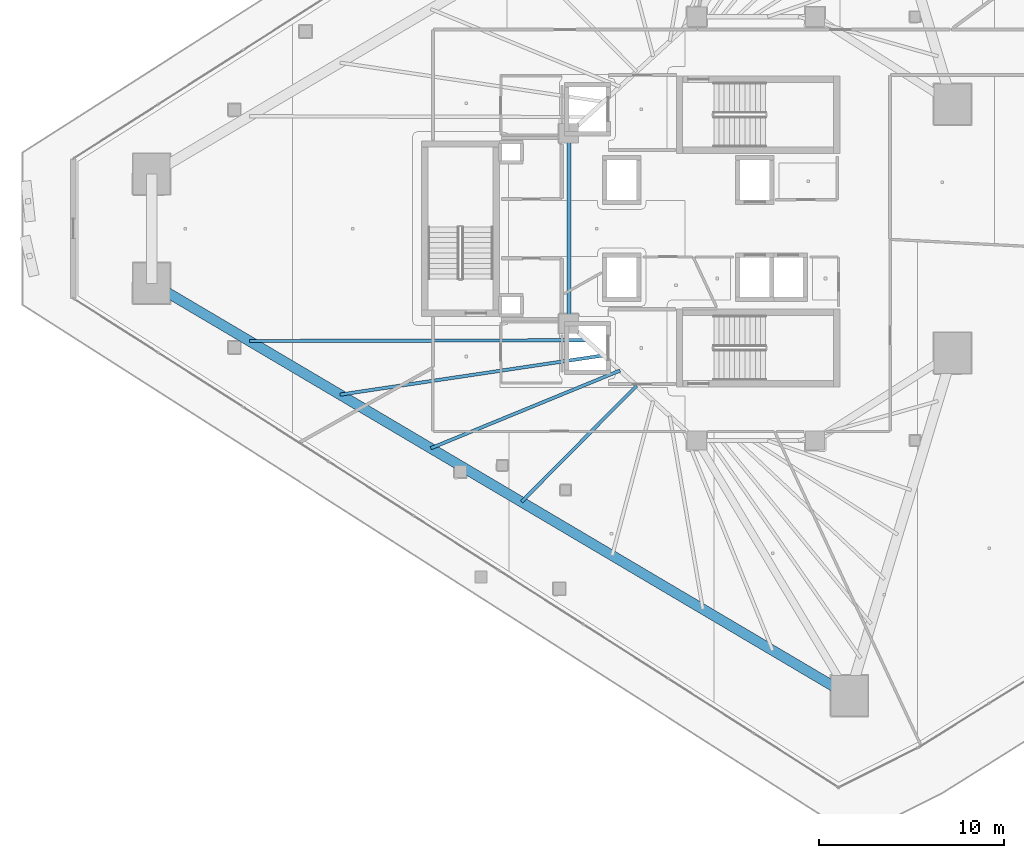
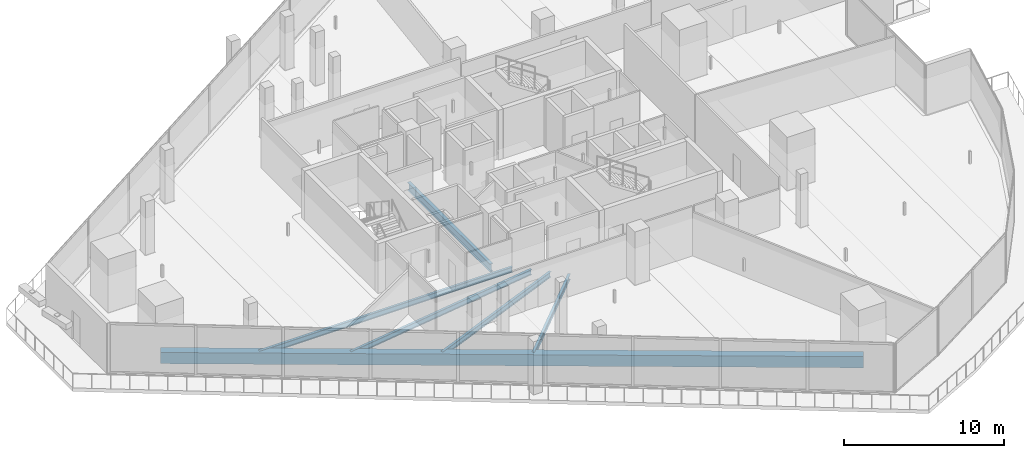
# One storey, part 6 of 38: 6 beams.
"""IFC4 building model written with IfcOpenShell, lengths in metres."""

from ifc_helpers import new_model, si_unit, direction, frame, origin, origin_2d, place, context, subcontext, project, spatial, rectangle, i_section, extrude, material, material_profile, profile_set, type_object, element, save


model = new_model("IFC4")

# Units and contexts
model_context = context("Model", 3, precision=1e-05, world=origin(), true_north=direction((0.0, 1.0)))
body_context = subcontext(model_context, "Body", "Model", "MODEL_VIEW")
ifc_project = project(units=[si_unit("LENGTHUNIT", "METRE"), si_unit("AREAUNIT", "SQUARE_METRE"), si_unit("VOLUMEUNIT", "CUBIC_METRE"), si_unit("PLANEANGLEUNIT", "RADIAN"), si_unit("MASSUNIT", "GRAM", prefix="KILO")], contexts=[model_context])

# Site, building, storey
site_placement = place(None, origin())
site = spatial("IfcSite", under=ifc_project, at=site_placement, CompositionType="ELEMENT")
building_placement = place(site_placement, origin())
building = spatial("IfcBuilding", under=site, at=building_placement, Name="Qorvath Tower", CompositionType="ELEMENT")
storey_placement = place(building_placement, frame((0.0, 0.0, 134.10009765625)))
storey = spatial("IfcBuildingStorey", under=building, at=storey_placement, Name="L30", CompositionType="ELEMENT", Elevation=134.10009765625)

# Beams
ifc_material_1 = material(Name="Steel ASTM A992 Grade 50", Category="steel")
ifc_material_profile_1 = material_profile(ifc_material_1, i_section(OverallWidth=0.22998046875, OverallDepth=0.616943359375, WebThickness=0.01318359375, FlangeThickness=0.022216796875, FilletRadius=0.014892578125, at=origin_2d()), Name="W24x94")
ifc_profile_set_1 = profile_set([ifc_material_profile_1], Name="Steel ASTM A992 Grade 50")
beam_type_1 = type_object("IfcBeamType", Name="BM-FG6", PredefinedType="BEAM", material=ifc_profile_set_1)
beam_1_placement = place(storey_placement, frame((-30.5, -5.14990234375, -0.57861328125), z_axis=(0.0, 1.0, 0.0), x_axis=(-1.0, 0.0, 0.0)))
element("IfcBeam", 1, at=beam_1_placement, inside=storey, type_object=beam_type_1, Name="Core Ring Girder CC6-CC5 L30", PredefinedType="BEAM", context=body_context, shape_type="SweptSolid", body=[
    extrude(i_section(OverallWidth=0.22998046875, OverallDepth=0.616943359375, WebThickness=0.01318359375, FlangeThickness=0.022216796875, FilletRadius=0.014892578125, at=origin_2d()), origin(), (0.0, 0.0, 1.0), 10.2998046875),
])
ifc_material_2 = material(Name="Steel ASTM A992 Grade 50", Category="steel")
ifc_material_profile_2 = material_profile(ifc_material_2, i_section(OverallWidth=0.177978515625, OverallDepth=0.406005859375, WebThickness=0.0078125, FlangeThickness=0.0126953125, FilletRadius=0.010986328125, at=origin_2d()), Name="W16x40")
ifc_profile_set_2 = profile_set([ifc_material_profile_2], Name="Steel ASTM A992 Grade 50")
beam_type_2 = type_object("IfcBeamType", Name="BM-FJ3", PredefinedType="JOIST", material=ifc_profile_set_2)
beam_2_placement = place(storey_placement, frame((-29.533935546875, -6.031982421875, -0.472900390625), z_axis=(-0.999997589883, -0.002195501951, 0.0), x_axis=(0.002195501951, -0.999997589883, 0.0)))
element("IfcBeam", 2, at=beam_2_placement, inside=storey, type_object=beam_type_2, Name="Composite Floor Joist SW1 L30", PredefinedType="JOIST", context=body_context, shape_type="SweptSolid", body=[
    extrude(i_section(OverallWidth=0.177978515625, OverallDepth=0.406005859375, WebThickness=0.0078125, FlangeThickness=0.0126953125, FilletRadius=0.010986328125, at=origin_2d()), origin(), (0.0, 0.0, 1.0), 18.23681640625),
])
beam_3_placement = place(storey_placement, frame((-28.636962890625, -6.85107421875, -0.472900390625), z_axis=(-0.989092860328, -0.147293291256, 0.0), x_axis=(0.147293291256, -0.989092860328, 0.0)))
element("IfcBeam", 3, at=beam_3_placement, inside=storey, type_object=beam_type_2, Name="Composite Floor Joist SW2 L30", PredefinedType="JOIST", context=body_context, shape_type="SweptSolid", body=[
    extrude(i_section(OverallWidth=0.177978515625, OverallDepth=0.406005859375, WebThickness=0.0078125, FlangeThickness=0.0126953125, FilletRadius=0.010986328125, at=origin_2d()), origin(), (0.0, 0.0, 1.0), 14.388916015625),
])
beam_4_placement = place(storey_placement, frame((-27.739990234375, -7.669921875, -0.472900390625), z_axis=(-0.925068176006, -0.379801092338, 0.0), x_axis=(0.379801092338, -0.925068176006, 0.0)))
element("IfcBeam", 4, at=beam_4_placement, inside=storey, type_object=beam_type_2, Name="Composite Floor Joist SW3 L30", PredefinedType="JOIST", context=body_context, shape_type="SweptSolid", body=[
    extrude(i_section(OverallWidth=0.177978515625, OverallDepth=0.406005859375, WebThickness=0.0078125, FlangeThickness=0.0126953125, FilletRadius=0.010986328125, at=origin_2d()), origin(), (0.0, 0.0, 1.0), 11.0556640625),
])
beam_5_placement = place(storey_placement, frame((-26.843017578125, -8.489013671875, -0.472900390625), z_axis=(-0.70395121362, -0.710248328997, 0.0), x_axis=(0.710248328997, -0.70395121362, 0.0)))
element("IfcBeam", 5, at=beam_5_placement, inside=storey, type_object=beam_type_2, Name="Composite Floor Joist SW4 L30", PredefinedType="JOIST", context=body_context, shape_type="SweptSolid", body=[
    extrude(i_section(OverallWidth=0.177978515625, OverallDepth=0.406005859375, WebThickness=0.0078125, FlangeThickness=0.0126953125, FilletRadius=0.010986328125, at=origin_2d()), origin(), (0.0, 0.0, 1.0), 8.839599609375),
])
ifc_material_3 = material(Name="Concrete C50/60", Category="concrete")
ifc_material_profile_3 = material_profile(ifc_material_3, rectangle(XDim=0.550048828125, YDim=0.85009765625, at=origin_2d()), Name="RCB 850x550")
ifc_profile_set_3 = profile_set([ifc_material_profile_3], Name="Concrete C50/60")
beam_type_3 = type_object("IfcBeamType", Name="BM-RCB2", PredefinedType="SPANDREL", material=ifc_profile_set_3)
beam_6_placement = place(storey_placement, frame((-53.04931640625, -2.95068359375, -0.695068359375), z_axis=(0.860775142889, -0.508985415689, 0.0), x_axis=(0.508985415689, 0.860775142889, 0.0)))
element("IfcBeam", 6, at=beam_6_placement, inside=storey, type_object=beam_type_3, Name="Perimeter Loggia Frame Beam MC2-MC3 L30", PredefinedType="SPANDREL", context=body_context, shape_type="SweptSolid", body=[
    extrude(rectangle(XDim=0.550048828125, YDim=0.85009765625, at=origin_2d()), origin(), (0.0, 0.0, 1.0), 43.8037109375),
])

save(model, "model.ifc")
